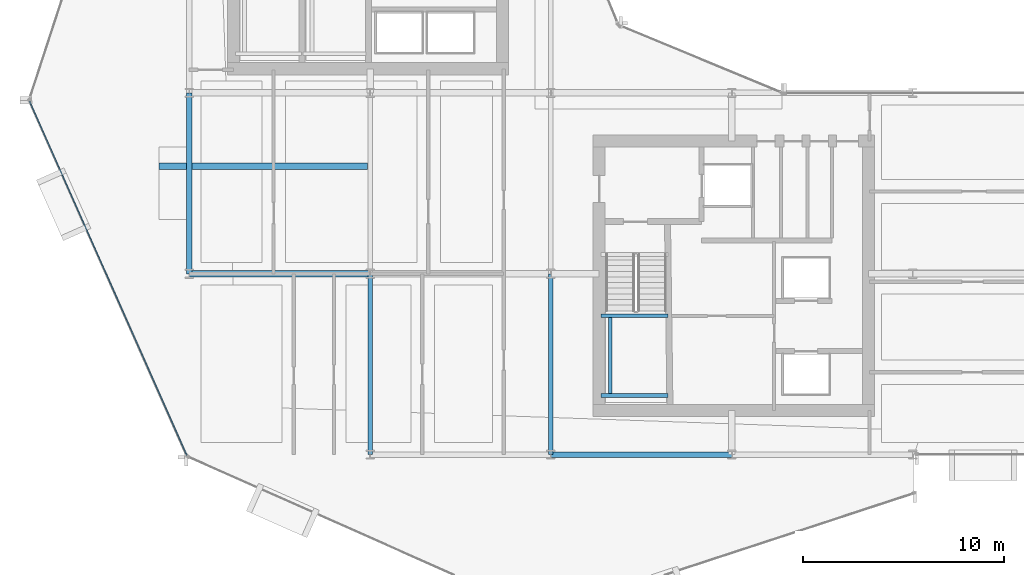
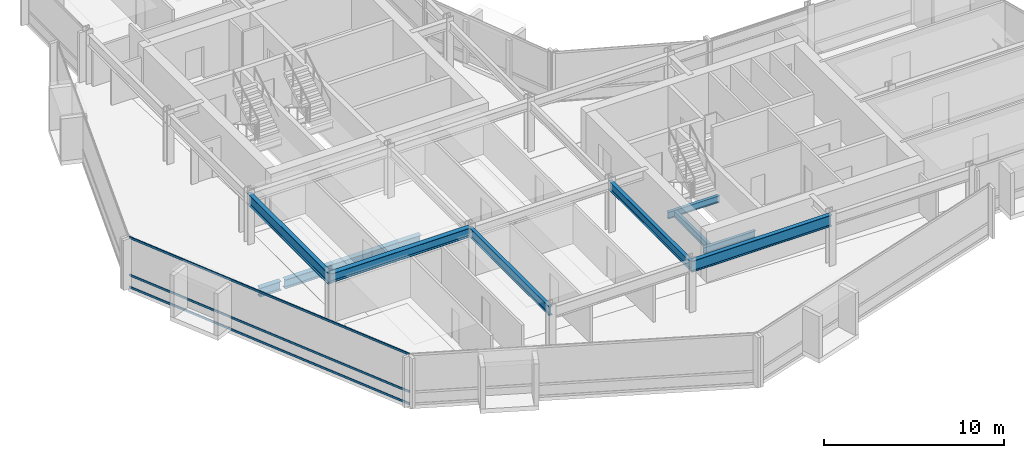
# One storey, part 5 of 29: 10 beams, 3 members, 1 element without a shape of its own.
"""IFC4 building model written with IfcOpenShell, lengths in metres."""

from ifc_helpers import new_model, si_unit, direction, frame, origin, origin_2d, place, context, subcontext, project, spatial, hollow_rectangle, i_section, extrude, material, layer, layer_set, material_profile, profile_set, type_object, element, aggregate, save


model = new_model("IFC4")

# Units and contexts
model_context = context("Model", 3, precision=1e-05, world=origin(), true_north=direction((0.0, 1.0)))
body_context = subcontext(model_context, "Body", "Model", "MODEL_VIEW")
ifc_project = project(units=[si_unit("LENGTHUNIT", "METRE"), si_unit("AREAUNIT", "SQUARE_METRE"), si_unit("VOLUMEUNIT", "CUBIC_METRE"), si_unit("PLANEANGLEUNIT", "RADIAN"), si_unit("MASSUNIT", "GRAM", prefix="KILO")], contexts=[model_context])

# Site, building, storey
site_placement = place(None, origin())
site = spatial("IfcSite", under=ifc_project, at=site_placement, CompositionType="ELEMENT")
building_placement = place(site_placement, origin())
building = spatial("IfcBuilding", under=site, at=building_placement, Name="Solvaryn Broadcast Tower", CompositionType="ELEMENT")
storey_placement = place(building_placement, frame((0.0, 0.0, 121.10009765625)))
storey = spatial("IfcBuildingStorey", under=building, at=storey_placement, Name="L29", CompositionType="ELEMENT", Elevation=121.10009765625)

# Beams
ifc_material_1 = material(Name="Steel ASTM A992 Grade 50", Category="steel")
ifc_material_profile_1 = material_profile(ifc_material_1, i_section(OverallWidth=0.323974609375, OverallDepth=0.611083984375, WebThickness=0.0126953125, FlangeThickness=0.01904296875, FilletRadius=0.014892578125, at=origin_2d()))
ifc_profile_set_1 = profile_set([ifc_material_profile_1], Name="Steel ASTM A992 Grade 50")
beam_type_1 = type_object("IfcBeamType", Name="BM-B1-W24X104", PredefinedType="BEAM", material=ifc_profile_set_1)
beam_1_placement = place(storey_placement, frame((17.875, 23.35009765625, -0.585693359375), z_axis=(-1.0, 0.0, 0.0), x_axis=(0.0, -1.0, 0.0)))
element("IfcBeam", 1, at=beam_1_placement, inside=storey, type_object=beam_type_1, Name="L29 Bay-Box Back-Span Beam 1", PredefinedType="BEAM", context=body_context, shape_type="SweptSolid", body=[
    extrude(i_section(OverallWidth=0.323974609375, OverallDepth=0.611083984375, WebThickness=0.0126953125, FlangeThickness=0.01904296875, FilletRadius=0.014892578125, at=origin_2d()), origin(), (0.0, 0.0, 1.0), 8.75),
])
beam_2_placement = place(storey_placement, frame((9.0, 18.0, 3.114501953125), z_axis=(1.0, 0.0, 0.0), x_axis=(0.0, 1.0, 0.0)))
element("IfcBeam", 2, at=beam_2_placement, inside=storey, type_object=beam_type_1, Name="L29 Primary Beam X (9-18 @ Y=18)", PredefinedType="BEAM", context=body_context, shape_type="SweptSolid", body=[
    extrude(i_section(OverallWidth=0.323974609375, OverallDepth=0.611083984375, WebThickness=0.0126953125, FlangeThickness=0.01904296875, FilletRadius=0.014892578125, at=origin_2d()), origin(), (0.0, 0.0, 1.0), 9.0),
])
ifc_material_2 = material(Name="Steel ASTM A992 Grade 50", Category="steel")
ifc_material_profile_2 = material_profile(ifc_material_2, i_section(OverallWidth=0.22802734375, OverallDepth=0.60791015625, WebThickness=0.01123046875, FlangeThickness=0.017333984375, FilletRadius=0.014892578125, at=origin_2d()))
ifc_profile_set_2 = profile_set([ifc_material_profile_2], Name="Steel ASTM A992 Grade 50")
beam_type_2 = type_object("IfcBeamType", Name="BM-B2-W24X76", PredefinedType="BEAM", material=ifc_profile_set_2)
for number, where, z_axis, x_axis, name in (
    (3, (18.0, 9.0, 3.115966796875), (0.0, 1.0, 0.0), (-1.0, 0.0, 0.0), "L29 Primary Beam Y (9-18 @ X=18)"),
    (4, (27.0, 9.0, 3.115966796875), (0.0, 1.0, 0.0), (-1.0, 0.0, 0.0), "L29 Primary Beam Y (9-18 @ X=27)"),
):
    element("IfcBeam", number, at=place(storey_placement, frame(where, z_axis=z_axis, x_axis=x_axis)), inside=storey, type_object=beam_type_2, Name=name, PredefinedType="BEAM", context=body_context, shape_type="SweptSolid", body=[
        extrude(i_section(OverallWidth=0.22802734375, OverallDepth=0.60791015625, WebThickness=0.01123046875, FlangeThickness=0.017333984375, FilletRadius=0.014892578125, at=origin_2d()), origin(), (0.0, 0.0, 1.0), 9.0),
    ])
ifc_material_3 = material(Name="Steel ASTM A992 Grade 50", Category="steel")
ifc_material_profile_3 = material_profile(ifc_material_3, i_section(OverallWidth=0.18994140625, OverallDepth=0.45703125, WebThickness=0.009033203125, FlangeThickness=0.014404296875, FilletRadius=0.011962890625, at=origin_2d()))
ifc_profile_set_3 = profile_set([ifc_material_profile_3], Name="Steel ASTM A992 Grade 50")
beam_type_3 = type_object("IfcBeamType", Name="BM-B4-W18X50", PredefinedType="BEAM", material=ifc_profile_set_3)
for number, where, z_axis, x_axis, name in (
    (5, (29.5, 11.949951171875, 1.42138671875), (1.0, 0.0, 0.0), (0.0, 1.0, 0.0), "L29 ST3 Landing Support Beam 1A"),
    (6, (29.5, 15.909912109375, 1.42138671875), (1.0, 0.0, 0.0), (0.0, 1.0, 0.0), "L29 ST3 Landing Support Beam 1B"),
):
    element("IfcBeam", number, at=place(storey_placement, frame(where, z_axis=z_axis, x_axis=x_axis)), inside=storey, type_object=beam_type_3, Name=name, PredefinedType="BEAM", context=body_context, shape_type="SweptSolid", body=[
        extrude(i_section(OverallWidth=0.18994140625, OverallDepth=0.45703125, WebThickness=0.009033203125, FlangeThickness=0.014404296875, FilletRadius=0.011962890625, at=origin_2d()), origin(), (0.0, 0.0, 1.0), 3.320068359375),
    ])
beam_3_placement = place(storey_placement, frame((29.949951171875, 11.949951171875, 1.42138671875), z_axis=(0.0, 1.0, 0.0), x_axis=(-1.0, 0.0, 0.0)))
element("IfcBeam", 7, at=beam_3_placement, inside=storey, type_object=beam_type_3, Name="L29 ST3 Landing Cross Stringer 1C", PredefinedType="BEAM", context=body_context, shape_type="SweptSolid", body=[
    extrude(i_section(OverallWidth=0.18994140625, OverallDepth=0.45703125, WebThickness=0.009033203125, FlangeThickness=0.014404296875, FilletRadius=0.011962890625, at=origin_2d()), origin(), (0.0, 0.0, 1.0), 3.9599609375),
])
ifc_material_4 = material(Name="Steel ASTM A992 Grade 50", Category="steel")
ifc_material_profile_4 = material_profile(ifc_material_4, i_section(OverallWidth=0.323974609375, OverallDepth=0.611083984375, WebThickness=0.0126953125, FlangeThickness=0.01904296875, FilletRadius=0.014892578125, at=origin_2d()))
ifc_profile_set_4 = profile_set([ifc_material_profile_4], Name="Steel ASTM A992 Grade 50")
beam_type_4 = type_object("IfcBeamType", Name="BM-CANT-TER", PredefinedType="BEAM", material=ifc_profile_set_4)
beam_4_placement = place(storey_placement, frame((8.875, 23.35009765625, -0.585693359375), z_axis=(-1.0, 0.0, 0.0), x_axis=(0.0, -1.0, 0.0)))
element("IfcBeam", 8, at=beam_4_placement, inside=storey, type_object=beam_type_4, Name="L29 Bay-Box Cantilever Bracket 1", PredefinedType="BEAM", context=body_context, shape_type="SweptSolid", body=[
    extrude(i_section(OverallWidth=0.323974609375, OverallDepth=0.611083984375, WebThickness=0.0126953125, FlangeThickness=0.01904296875, FilletRadius=0.014892578125, at=origin_2d()), origin(), (0.0, 0.0, 1.0), 1.375),
])
ifc_material_5 = material(Name="Steel ASTM A992 Grade 50", Category="steel")
ifc_material_profile_5 = material_profile(ifc_material_5, i_section(OverallWidth=0.26708984375, OverallDepth=0.76611328125, WebThickness=0.014892578125, FlangeThickness=0.023681640625, FilletRadius=0.01806640625, at=origin_2d()))
ifc_profile_set_5 = profile_set([ifc_material_profile_5], Name="Steel ASTM A992 Grade 50")
beam_type_5 = type_object("IfcBeamType", Name="BM-SP2-W30X124", PredefinedType="USERDEFINED", material=ifc_profile_set_5)
for number, where, z_axis, x_axis, name in (
    (9, (27.0, 9.0, 3.036865234375), (1.0, 0.0, 0.0), (0.0, 1.0, 0.0), "L29 Spandrel Beam X (27-36 @ Y=9)"),
    (10, (9.0, 18.0, 3.036865234375), (0.0, 1.0, 0.0), (-1.0, 0.0, 0.0), "L29 Spandrel Beam Y (18-27 @ X=9)"),
):
    element("IfcBeam", number, at=place(storey_placement, frame(where, z_axis=z_axis, x_axis=x_axis)), inside=storey, type_object=beam_type_5, Name=name, ObjectType="SPANDREL", PredefinedType="USERDEFINED", context=body_context, shape_type="SweptSolid", body=[
        extrude(i_section(OverallWidth=0.26708984375, OverallDepth=0.76611328125, WebThickness=0.014892578125, FlangeThickness=0.023681640625, FilletRadius=0.01806640625, at=origin_2d()), origin(), (0.0, 0.0, 1.0), 9.0),
    ])

# Curtain wall, members
ifc_material_6 = material(Name="Aluminium and Terracotta Unitised Curtain Wall", Category="masonry")
ifc_layer = layer(ifc_material_6, 0.199951171875)
ifc_layer_set = layer_set([ifc_layer], Name="CW-SYS2-LOWMID")
curtain_wall_type = type_object("IfcCurtainWallType", Name="CW-SYS2-LOWMID", PredefinedType="NOTDEFINED", material=ifc_layer_set)
curtain_wall_placement = place(storey_placement, origin())
curtain_wall = element("IfcCurtainWall", 11, at=curtain_wall_placement, inside=storey, type_object=curtain_wall_type, Name="L29 Curtain Wall DR2", PredefinedType="NOTDEFINED")
ifc_material_7 = material(Name="Anodised Aluminium 6063-T6", Category="aluminium")
ifc_material_profile_6 = material_profile(ifc_material_7, hollow_rectangle(XDim=0.06494140625, YDim=0.14990234375, WallThickness=0.00390625, InnerFilletRadius=0.00390625, OuterFilletRadius=0.008056640625, at=origin_2d()))
ifc_profile_set_6 = profile_set([ifc_material_profile_6], Name="Anodised Aluminium 6063-T6")
member_type = type_object("IfcMemberType", Name="CW-TRN-150", PredefinedType="USERDEFINED", material=ifc_profile_set_6)
member_1_placement = place(storey_placement, frame((1.058349609375, 26.5810546875, 0.02978515625), z_axis=(0.405917546252, -0.913909703223, 0.0), x_axis=(0.913909703223, 0.405917546252, 0.0)))
member_1 = element("IfcMember", 12, at=member_1_placement, type_object=member_type, Name="CWS2 transom 1.1", ObjectType="TRANSOM", PredefinedType="USERDEFINED", context=body_context, shape_type="SweptSolid", body=[
    extrude(hollow_rectangle(XDim=0.06494140625, YDim=0.14990234375, WallThickness=0.00390625, InnerFilletRadius=0.00390625, OuterFilletRadius=0.008056640625, at=origin_2d()), origin(), (0.0, 0.0, 1.0), 19.27783203125),
])
member_2_placement = place(storey_placement, frame((1.058349609375, 26.5810546875, 0.849853515625), z_axis=(0.405917546252, -0.913909703223, 0.0), x_axis=(0.913909703223, 0.405917546252, 0.0)))
member_2 = element("IfcMember", 13, at=member_2_placement, type_object=member_type, Name="CWS2 transom 1.2", ObjectType="TRANSOM", PredefinedType="USERDEFINED", context=body_context, shape_type="SweptSolid", body=[
    extrude(hollow_rectangle(XDim=0.06494140625, YDim=0.14990234375, WallThickness=0.00390625, InnerFilletRadius=0.00390625, OuterFilletRadius=0.008056640625, at=origin_2d()), origin(), (0.0, 0.0, 1.0), 19.27783203125),
])
member_3_placement = place(storey_placement, frame((1.058349609375, 26.5810546875, 3.389892578125), z_axis=(0.405917546252, -0.913909703223, 0.0), x_axis=(0.913909703223, 0.405917546252, 0.0)))
member_3 = element("IfcMember", 14, at=member_3_placement, type_object=member_type, Name="CWS2 transom 1.3", ObjectType="TRANSOM", PredefinedType="USERDEFINED", context=body_context, shape_type="SweptSolid", body=[
    extrude(hollow_rectangle(XDim=0.06494140625, YDim=0.14990234375, WallThickness=0.00390625, InnerFilletRadius=0.00390625, OuterFilletRadius=0.008056640625, at=origin_2d()), origin(), (0.0, 0.0, 1.0), 19.27783203125),
])
aggregate(curtain_wall, [member_1, member_2, member_3])

save(model, "model.ifc")
